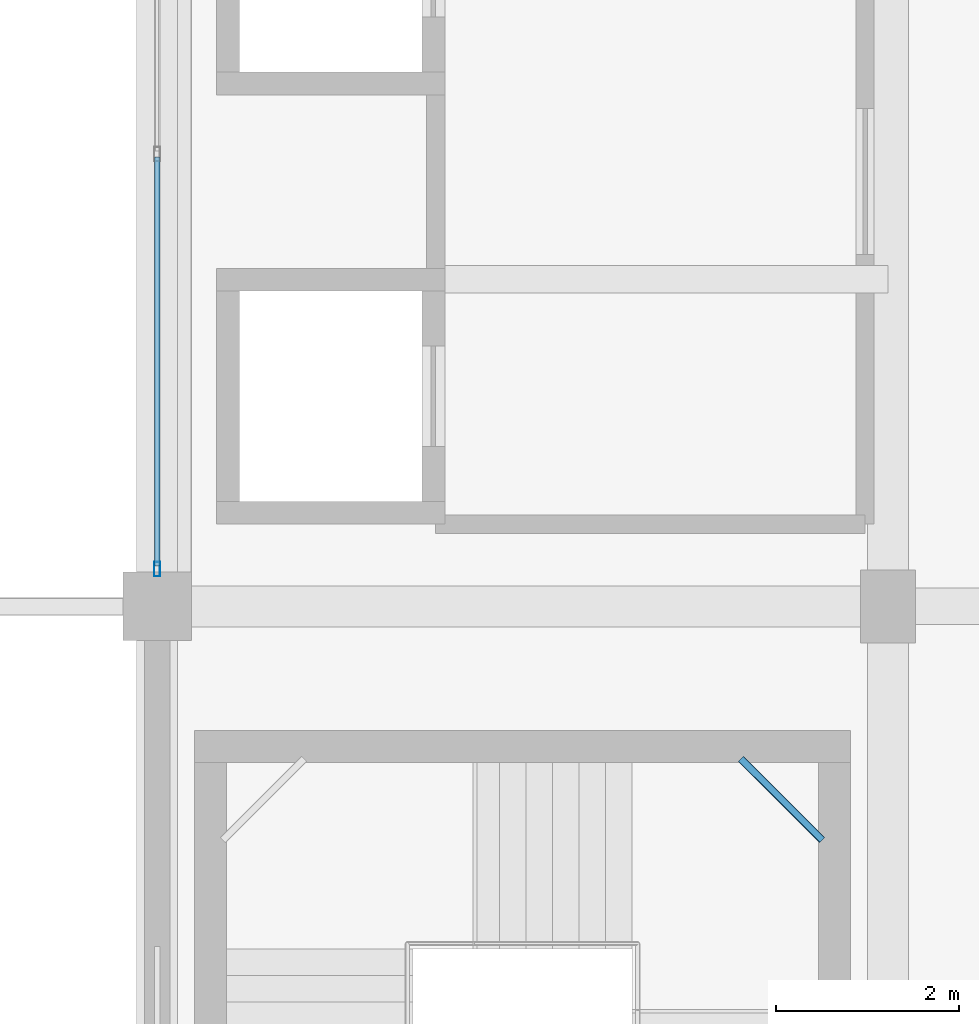
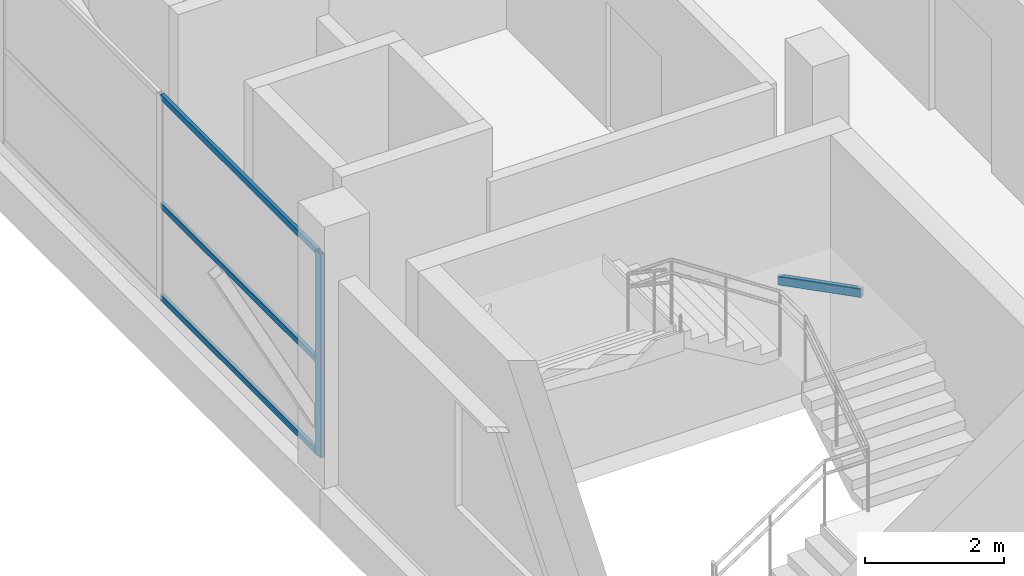
# One storey, part 6 of 58: 4 members, 1 beam, 1 element without a shape of its own.
"""IFC4 building model written with IfcOpenShell, lengths in metres."""

from ifc_helpers import new_model, si_unit, direction, frame, origin, origin_2d, place, context, subcontext, project, spatial, hollow_rectangle, extrude, material, layer, layer_set, material_profile, profile_set, type_object, element, aggregate, save


model = new_model("IFC4")

# Units and contexts
model_context = context("Model", 3, precision=1e-05, world=origin(), true_north=direction((0.0, 1.0)))
body_context = subcontext(model_context, "Body", "Model", "MODEL_VIEW")
ifc_project = project(units=[si_unit("LENGTHUNIT", "METRE"), si_unit("AREAUNIT", "SQUARE_METRE"), si_unit("VOLUMEUNIT", "CUBIC_METRE"), si_unit("PLANEANGLEUNIT", "RADIAN"), si_unit("MASSUNIT", "GRAM", prefix="KILO")], contexts=[model_context])

# Site, building, storey
site_placement = place(None, origin())
site = spatial("IfcSite", under=ifc_project, at=site_placement, CompositionType="ELEMENT")
building_placement = place(site_placement, origin())
building = spatial("IfcBuilding", under=site, at=building_placement, Name="Sillaruma Civic Art Gallery", CompositionType="ELEMENT")
storey_placement = place(building_placement, frame((0.0, 0.0, 28.56005859375)))
storey = spatial("IfcBuildingStorey", under=building, at=storey_placement, Name="L05", CompositionType="ELEMENT", Elevation=28.56005859375)

# Beam
ifc_material_1 = material(Name="Structural Steel ASTM A500 Gr.C", Category="steel")
ifc_material_profile_1 = material_profile(ifc_material_1, hollow_rectangle(XDim=0.080078125, YDim=0.159912109375, WallThickness=0.008056640625, InnerFilletRadius=0.008056640625, OuterFilletRadius=0.01611328125, at=origin_2d()), Name="HSS160x80x8")
ifc_profile_set_1 = profile_set([ifc_material_profile_1], Name="Structural Steel ASTM A500 Gr.C")
beam_type = type_object("IfcBeamType", Name="BM-LND-HSS160", PredefinedType="BEAM", material=ifc_profile_set_1)
beam_placement = place(storey_placement, frame((68.389892578125, 37.929931640625, 2.099853515625), z_axis=(0.707203758046, -0.707009791025, 0.0), x_axis=(0.707009791025, 0.707203758046, 0.0)))
element("IfcBeam", 1, at=beam_placement, inside=storey, type_object=beam_type, Name="Stair Corner Landing Trimmer Beam (ST-03-L05-2)", PredefinedType="BEAM", context=body_context, shape_type="SweptSolid", body=[
    extrude(hollow_rectangle(XDim=0.080078125, YDim=0.159912109375, WallThickness=0.008056640625, InnerFilletRadius=0.008056640625, OuterFilletRadius=0.01611328125, at=origin_2d()), origin(), (0.0, 0.0, 1.0), 1.2587890625),
])

# Curtain wall, members
ifc_material_2 = material(Name="Thermally Broken Extruded Aluminium 6063-T6", Category="aluminium")
ifc_layer = layer(ifc_material_2, 0.159912109375, Name="Thermally Broken Extruded Aluminium 6063-T6")
ifc_layer_set = layer_set([ifc_layer], Name="Thermally Broken Extruded Aluminium 6063-T6")
curtain_wall_type = type_object("IfcCurtainWallType", Name="CW-UNI-29", PredefinedType="NOTDEFINED", material=ifc_layer_set)
curtain_wall_placement = place(storey_placement, origin())
curtain_wall = element("IfcCurtainWall", 2, at=curtain_wall_placement, inside=storey, type_object=curtain_wall_type, Name="Unitised Curtain Wall CW-29 (CW-L05-W-3)", PredefinedType="NOTDEFINED")
ifc_material_profile_2 = material_profile(ifc_material_2, hollow_rectangle(XDim=0.06494140625, YDim=0.159912109375, WallThickness=0.00390625, at=origin_2d()), Name="CWM65x160")
ifc_profile_set_2 = profile_set([ifc_material_profile_2], Name="Thermally Broken Extruded Aluminium 6063-T6")
member_type_1 = type_object("IfcMemberType", Name="MEM-MUL-CWM65x160", PredefinedType="MULLION", material=ifc_profile_set_2)
member_1_placement = place(storey_placement, frame((62.0, 40.007568359375, 0.0), z_axis=(0.0, 0.0, 1.0), x_axis=(-1.0, 0.0, 0.0)))
member_1 = element("IfcMember", 3, at=member_1_placement, type_object=member_type_1, Name="CW-29 mullion 1", PredefinedType="MULLION", context=body_context, shape_type="SweptSolid", body=[
    extrude(hollow_rectangle(XDim=0.06494140625, YDim=0.159912109375, WallThickness=0.00390625, at=origin_2d()), origin(), (0.0, 0.0, 1.0), 3.56982421875),
])
ifc_material_profile_3 = material_profile(ifc_material_2, hollow_rectangle(XDim=0.06005859375, YDim=0.10009765625, WallThickness=0.003173828125, at=origin_2d()), Name="CWT60x100")
ifc_profile_set_3 = profile_set([ifc_material_profile_3], Name="Thermally Broken Extruded Aluminium 6063-T6")
member_type_2 = type_object("IfcMemberType", Name="MEM-TRN-CWT60x100", PredefinedType="USERDEFINED", material=ifc_profile_set_3)
member_2_placement = place(storey_placement, frame((62.0, 40.0400390625, 0.030029296875), z_axis=(0.0, 1.0, 0.0), x_axis=(-1.0, 0.0, 0.0)))
member_2 = element("IfcMember", 4, at=member_2_placement, type_object=member_type_2, Name="CW-29 transom 1.1", ObjectType="TRANSOM", PredefinedType="USERDEFINED", context=body_context, shape_type="SweptSolid", body=[
    extrude(hollow_rectangle(XDim=0.06005859375, YDim=0.10009765625, WallThickness=0.003173828125, at=origin_2d()), origin(), (0.0, 0.0, 1.0), 4.4775390625),
])
member_3_placement = place(storey_placement, frame((62.0, 40.0400390625, 1.64208984375), z_axis=(0.0, 1.0, 0.0), x_axis=(-1.0, 0.0, 0.0)))
member_3 = element("IfcMember", 5, at=member_3_placement, type_object=member_type_2, Name="CW-29 transom 1.2", ObjectType="TRANSOM", PredefinedType="USERDEFINED", context=body_context, shape_type="SweptSolid", body=[
    extrude(hollow_rectangle(XDim=0.06005859375, YDim=0.10009765625, WallThickness=0.003173828125, at=origin_2d()), origin(), (0.0, 0.0, 1.0), 4.4775390625),
])
member_4_placement = place(storey_placement, frame((62.0, 40.0400390625, 3.5400390625), z_axis=(0.0, 1.0, 0.0), x_axis=(-1.0, 0.0, 0.0)))
member_4 = element("IfcMember", 6, at=member_4_placement, type_object=member_type_2, Name="CW-29 transom 1.3", ObjectType="TRANSOM", PredefinedType="USERDEFINED", context=body_context, shape_type="SweptSolid", body=[
    extrude(hollow_rectangle(XDim=0.06005859375, YDim=0.10009765625, WallThickness=0.003173828125, at=origin_2d()), origin(), (0.0, 0.0, 1.0), 4.4775390625),
])
aggregate(curtain_wall, [member_1, member_2, member_3, member_4])

save(model, "model.ifc")
